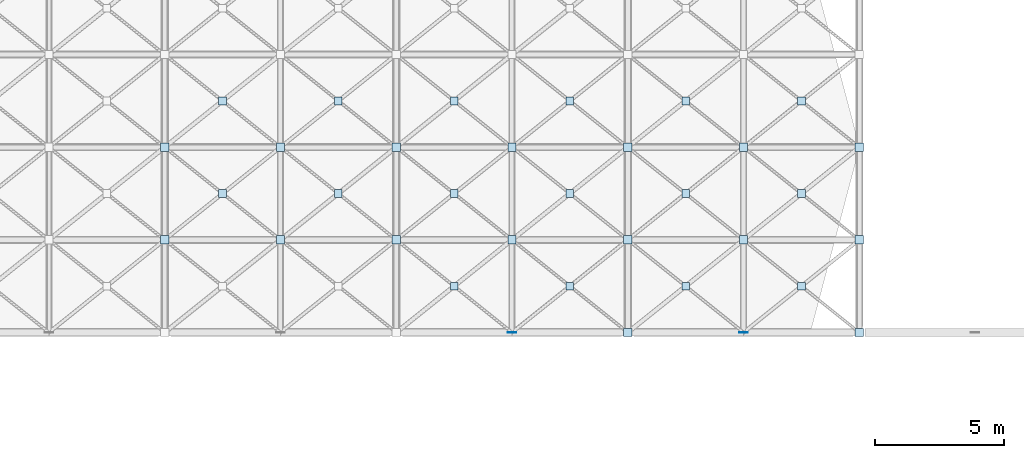
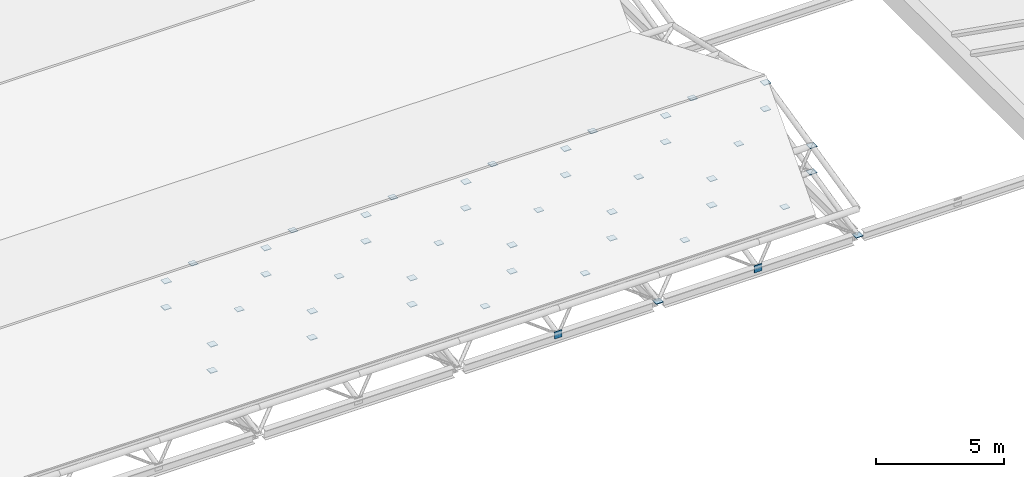
# One storey, part 74 of 110: 48 plates.
"""IFC4 building model written with IfcOpenShell, lengths in metres."""

from ifc_helpers import new_model, si_unit, direction, frame, origin, origin_2d, place, context, subcontext, project, spatial, rectangle, extrude, material, layer, layer_set, type_object, element, save


model = new_model("IFC4")

# Units and contexts
model_context = context("Model", 3, precision=1e-05, world=origin(), true_north=direction((0.0, 1.0)))
body_context = subcontext(model_context, "Body", "Model", "MODEL_VIEW")
ifc_project = project(units=[si_unit("LENGTHUNIT", "METRE"), si_unit("AREAUNIT", "SQUARE_METRE"), si_unit("VOLUMEUNIT", "CUBIC_METRE"), si_unit("PLANEANGLEUNIT", "RADIAN"), si_unit("MASSUNIT", "GRAM", prefix="KILO")], contexts=[model_context])

# Site, building, storey
site_placement = place(None, origin())
site = spatial("IfcSite", under=ifc_project, at=site_placement, CompositionType="ELEMENT")
building_placement = place(site_placement, origin())
building = spatial("IfcBuilding", under=site, at=building_placement, Name="Tamarisk Ironworks Central Station", CompositionType="ELEMENT")
storey_placement = place(building_placement, frame((0.0, 0.0, 17.39990234375)))
storey = spatial("IfcBuildingStorey", under=building, at=storey_placement, Name="L03", CompositionType="ELEMENT", Elevation=17.39990234375)

# Plates
ifc_material_1 = material(Name="Painted structural steel S355J2", Category="steel")
ifc_layer_1 = layer(ifc_material_1, 0.01611328125)
ifc_layer_set_1 = layer_set([ifc_layer_1], Name="Painted structural steel S355J2")
plate_type_1 = type_object("IfcPlateType", Name="PL-EC16", PredefinedType="SHEET", material=ifc_layer_set_1)
for number, where, z_axis, x_axis, name in (
    (1, (31.5, 21.60009765625, -1.89013671875), (0.0, 0.0, 1.0), (1.0, 0.0, 0.0), "Hollow section welded end-cap plate 31"),
    (2, (40.5, 21.60009765625, -1.89013671875), (0.0, 0.0, 1.0), (1.0, 0.0, 0.0), "Hollow section welded end-cap plate 32"),
):
    element("IfcPlate", number, at=place(storey_placement, frame(where, z_axis=z_axis, x_axis=x_axis)), inside=storey, type_object=plate_type_1, Name=name, PredefinedType="SHEET", context=body_context, shape_type="SweptSolid", body=[
        extrude(rectangle(XDim=0.340087890625, YDim=0.02392578125, at=origin_2d()), origin(), (0.0, 0.0, 1.0), 0.340087890625),
    ])
ifc_material_2 = material(Name="Structural steel S355J2H", Category="steel")
ifc_layer_2 = layer(ifc_material_2, 0.02587890625)
ifc_layer_set_2 = layer_set([ifc_layer_2], Name="Structural steel S355J2H")
plate_type_2 = type_object("IfcPlateType", Name="PL-ND26", PredefinedType="SHEET", material=ifc_layer_set_2)
for number, where, z_axis, x_axis, name in (
    (3, (18.0, 25.199951171875, 0.342041015625), (0.0, 0.0, 1.0), (1.0, 0.0, 0.0), "Space-frame collector node plate 0045"),
    (4, (18.0, 25.199951171875, -0.907958984375), (0.0, 0.0, 1.0), (1.0, 0.0, 0.0), "Space-frame collector node plate 0047"),
    (5, (18.0, 28.800048828125, 1.167236328125), (0.0, 0.0, 1.0), (1.0, 0.0, 0.0), "Space-frame collector node plate 0048"),
    (6, (18.0, 28.800048828125, -0.082763671875), (0.0, 0.0, 1.0), (1.0, 0.0, 0.0), "Space-frame collector node plate 0050"),
    (7, (22.5, 25.199951171875, 0.342041015625), (0.0, 0.0, 1.0), (1.0, 0.0, 0.0), "Space-frame collector node plate 0056"),
):
    element("IfcPlate", number, at=place(storey_placement, frame(where, z_axis=z_axis, x_axis=x_axis)), inside=storey, type_object=plate_type_2, Name=name, PredefinedType="SHEET", context=body_context, shape_type="SweptSolid", body=[
        extrude(rectangle(XDim=0.320068359375, YDim=0.320068359375, at=origin_2d()), origin(), (0.0, 0.0, 1.0), 0.02587890625),
    ])
plate_1_placement = place(storey_placement, frame((20.25, 27.0, 0.129638671875), z_axis=(0.0, 0.0, 1.0), x_axis=(1.0, 0.0, 0.0)))
element("IfcPlate", 8, at=plate_1_placement, inside=storey, type_object=plate_type_2, Name="Space-frame X-brace crossing gusset plate 0057", PredefinedType="SHEET", context=body_context, shape_type="SweptSolid", body=[
    extrude(rectangle(XDim=0.300048828125, YDim=0.300048828125, at=origin_2d()), origin(), (0.0, 0.0, 1.0), 0.02587890625),
])
for number, where, z_axis, x_axis, name in (
    (9, (22.5, 25.199951171875, -0.907958984375), (0.0, 0.0, 1.0), (1.0, 0.0, 0.0), "Space-frame collector node plate 0058"),
    (10, (22.5, 28.800048828125, 1.167236328125), (0.0, 0.0, 1.0), (1.0, 0.0, 0.0), "Space-frame collector node plate 0059"),
):
    element("IfcPlate", number, at=place(storey_placement, frame(where, z_axis=z_axis, x_axis=x_axis)), inside=storey, type_object=plate_type_2, Name=name, PredefinedType="SHEET", context=body_context, shape_type="SweptSolid", body=[
        extrude(rectangle(XDim=0.320068359375, YDim=0.320068359375, at=origin_2d()), origin(), (0.0, 0.0, 1.0), 0.02587890625),
    ])
plate_2_placement = place(storey_placement, frame((20.25, 30.60009765625, 0.129638671875), z_axis=(0.0, 0.0, 1.0), x_axis=(1.0, 0.0, 0.0)))
element("IfcPlate", 11, at=plate_2_placement, inside=storey, type_object=plate_type_2, Name="Space-frame X-brace crossing gusset plate 0060", PredefinedType="SHEET", context=body_context, shape_type="SweptSolid", body=[
    extrude(rectangle(XDim=0.300048828125, YDim=0.300048828125, at=origin_2d()), origin(), (0.0, 0.0, 1.0), 0.02587890625),
])
for number, where, z_axis, x_axis, name in (
    (12, (22.5, 28.800048828125, -0.082763671875), (0.0, 0.0, 1.0), (1.0, 0.0, 0.0), "Space-frame collector node plate 0061"),
    (13, (27.0, 25.199951171875, 0.342041015625), (0.0, 0.0, 1.0), (1.0, 0.0, 0.0), "Space-frame collector node plate 0068"),
):
    element("IfcPlate", number, at=place(storey_placement, frame(where, z_axis=z_axis, x_axis=x_axis)), inside=storey, type_object=plate_type_2, Name=name, PredefinedType="SHEET", context=body_context, shape_type="SweptSolid", body=[
        extrude(rectangle(XDim=0.320068359375, YDim=0.320068359375, at=origin_2d()), origin(), (0.0, 0.0, 1.0), 0.02587890625),
    ])
plate_3_placement = place(storey_placement, frame((24.75, 27.0, 0.129638671875), z_axis=(0.0, 0.0, 1.0), x_axis=(1.0, 0.0, 0.0)))
element("IfcPlate", 14, at=plate_3_placement, inside=storey, type_object=plate_type_2, Name="Space-frame X-brace crossing gusset plate 0069", PredefinedType="SHEET", context=body_context, shape_type="SweptSolid", body=[
    extrude(rectangle(XDim=0.300048828125, YDim=0.300048828125, at=origin_2d()), origin(), (0.0, 0.0, 1.0), 0.02587890625),
])
for number, where, z_axis, x_axis, name in (
    (15, (27.0, 25.199951171875, -0.907958984375), (0.0, 0.0, 1.0), (1.0, 0.0, 0.0), "Space-frame collector node plate 0070"),
    (16, (27.0, 28.800048828125, 1.167236328125), (0.0, 0.0, 1.0), (1.0, 0.0, 0.0), "Space-frame collector node plate 0071"),
):
    element("IfcPlate", number, at=place(storey_placement, frame(where, z_axis=z_axis, x_axis=x_axis)), inside=storey, type_object=plate_type_2, Name=name, PredefinedType="SHEET", context=body_context, shape_type="SweptSolid", body=[
        extrude(rectangle(XDim=0.320068359375, YDim=0.320068359375, at=origin_2d()), origin(), (0.0, 0.0, 1.0), 0.02587890625),
    ])
plate_4_placement = place(storey_placement, frame((24.75, 30.60009765625, 0.129638671875), z_axis=(0.0, 0.0, 1.0), x_axis=(1.0, 0.0, 0.0)))
element("IfcPlate", 17, at=plate_4_placement, inside=storey, type_object=plate_type_2, Name="Space-frame X-brace crossing gusset plate 0072", PredefinedType="SHEET", context=body_context, shape_type="SweptSolid", body=[
    extrude(rectangle(XDim=0.300048828125, YDim=0.300048828125, at=origin_2d()), origin(), (0.0, 0.0, 1.0), 0.02587890625),
])
plate_5_placement = place(storey_placement, frame((27.0, 28.800048828125, -0.082763671875), z_axis=(0.0, 0.0, 1.0), x_axis=(1.0, 0.0, 0.0)))
element("IfcPlate", 18, at=plate_5_placement, inside=storey, type_object=plate_type_2, Name="Space-frame collector node plate 0073", PredefinedType="SHEET", context=body_context, shape_type="SweptSolid", body=[
    extrude(rectangle(XDim=0.320068359375, YDim=0.320068359375, at=origin_2d()), origin(), (0.0, 0.0, 1.0), 0.02587890625),
])
plate_6_placement = place(storey_placement, frame((29.25, 23.39990234375, -0.6953125), z_axis=(0.0, 0.0, 1.0), x_axis=(1.0, 0.0, 0.0)))
element("IfcPlate", 19, at=plate_6_placement, inside=storey, type_object=plate_type_2, Name="Space-frame X-brace crossing gusset plate 0078", PredefinedType="SHEET", context=body_context, shape_type="SweptSolid", body=[
    extrude(rectangle(XDim=0.300048828125, YDim=0.300048828125, at=origin_2d()), origin(), (0.0, 0.0, 1.0), 0.02587890625),
])
plate_7_placement = place(storey_placement, frame((31.5, 25.199951171875, 0.342041015625), z_axis=(0.0, 0.0, 1.0), x_axis=(1.0, 0.0, 0.0)))
element("IfcPlate", 20, at=plate_7_placement, inside=storey, type_object=plate_type_2, Name="Space-frame collector node plate 0079", PredefinedType="SHEET", context=body_context, shape_type="SweptSolid", body=[
    extrude(rectangle(XDim=0.320068359375, YDim=0.320068359375, at=origin_2d()), origin(), (0.0, 0.0, 1.0), 0.02587890625),
])
plate_8_placement = place(storey_placement, frame((29.25, 27.0, 0.129638671875), z_axis=(0.0, 0.0, 1.0), x_axis=(1.0, 0.0, 0.0)))
element("IfcPlate", 21, at=plate_8_placement, inside=storey, type_object=plate_type_2, Name="Space-frame X-brace crossing gusset plate 0080", PredefinedType="SHEET", context=body_context, shape_type="SweptSolid", body=[
    extrude(rectangle(XDim=0.300048828125, YDim=0.300048828125, at=origin_2d()), origin(), (0.0, 0.0, 1.0), 0.02587890625),
])
for number, where, z_axis, x_axis, name in (
    (22, (31.5, 25.199951171875, -0.907958984375), (0.0, 0.0, 1.0), (1.0, 0.0, 0.0), "Space-frame collector node plate 0081"),
    (23, (31.5, 28.800048828125, 1.167236328125), (0.0, 0.0, 1.0), (1.0, 0.0, 0.0), "Space-frame collector node plate 0082"),
):
    element("IfcPlate", number, at=place(storey_placement, frame(where, z_axis=z_axis, x_axis=x_axis)), inside=storey, type_object=plate_type_2, Name=name, PredefinedType="SHEET", context=body_context, shape_type="SweptSolid", body=[
        extrude(rectangle(XDim=0.320068359375, YDim=0.320068359375, at=origin_2d()), origin(), (0.0, 0.0, 1.0), 0.02587890625),
    ])
plate_9_placement = place(storey_placement, frame((29.25, 30.60009765625, 0.129638671875), z_axis=(0.0, 0.0, 1.0), x_axis=(1.0, 0.0, 0.0)))
element("IfcPlate", 24, at=plate_9_placement, inside=storey, type_object=plate_type_2, Name="Space-frame X-brace crossing gusset plate 0083", PredefinedType="SHEET", context=body_context, shape_type="SweptSolid", body=[
    extrude(rectangle(XDim=0.300048828125, YDim=0.300048828125, at=origin_2d()), origin(), (0.0, 0.0, 1.0), 0.02587890625),
])
plate_10_placement = place(storey_placement, frame((31.5, 28.800048828125, -0.082763671875), z_axis=(0.0, 0.0, 1.0), x_axis=(1.0, 0.0, 0.0)))
element("IfcPlate", 25, at=plate_10_placement, inside=storey, type_object=plate_type_2, Name="Space-frame collector node plate 0084", PredefinedType="SHEET", context=body_context, shape_type="SweptSolid", body=[
    extrude(rectangle(XDim=0.320068359375, YDim=0.320068359375, at=origin_2d()), origin(), (0.0, 0.0, 1.0), 0.02587890625),
])
plate_11_placement = place(storey_placement, frame((33.75, 23.39990234375, -0.6953125), z_axis=(0.0, 0.0, 1.0), x_axis=(1.0, 0.0, 0.0)))
element("IfcPlate", 26, at=plate_11_placement, inside=storey, type_object=plate_type_2, Name="Space-frame X-brace crossing gusset plate 0089", PredefinedType="SHEET", context=body_context, shape_type="SweptSolid", body=[
    extrude(rectangle(XDim=0.300048828125, YDim=0.300048828125, at=origin_2d()), origin(), (0.0, 0.0, 1.0), 0.02587890625),
])
for number, where, z_axis, x_axis, name in (
    (27, (36.0, 21.60009765625, -1.73291015625), (0.0, 0.0, 1.0), (1.0, 0.0, 0.0), "Space-frame collector node plate 0090"),
    (28, (36.0, 25.199951171875, 0.342041015625), (0.0, 0.0, 1.0), (1.0, 0.0, 0.0), "Space-frame collector node plate 0091"),
):
    element("IfcPlate", number, at=place(storey_placement, frame(where, z_axis=z_axis, x_axis=x_axis)), inside=storey, type_object=plate_type_2, Name=name, PredefinedType="SHEET", context=body_context, shape_type="SweptSolid", body=[
        extrude(rectangle(XDim=0.320068359375, YDim=0.320068359375, at=origin_2d()), origin(), (0.0, 0.0, 1.0), 0.02587890625),
    ])
plate_12_placement = place(storey_placement, frame((33.75, 27.0, 0.129638671875), z_axis=(0.0, 0.0, 1.0), x_axis=(1.0, 0.0, 0.0)))
element("IfcPlate", 29, at=plate_12_placement, inside=storey, type_object=plate_type_2, Name="Space-frame X-brace crossing gusset plate 0092", PredefinedType="SHEET", context=body_context, shape_type="SweptSolid", body=[
    extrude(rectangle(XDim=0.300048828125, YDim=0.300048828125, at=origin_2d()), origin(), (0.0, 0.0, 1.0), 0.02587890625),
])
for number, where, z_axis, x_axis, name in (
    (30, (36.0, 25.199951171875, -0.907958984375), (0.0, 0.0, 1.0), (1.0, 0.0, 0.0), "Space-frame collector node plate 0093"),
    (31, (36.0, 28.800048828125, 1.167236328125), (0.0, 0.0, 1.0), (1.0, 0.0, 0.0), "Space-frame collector node plate 0094"),
):
    element("IfcPlate", number, at=place(storey_placement, frame(where, z_axis=z_axis, x_axis=x_axis)), inside=storey, type_object=plate_type_2, Name=name, PredefinedType="SHEET", context=body_context, shape_type="SweptSolid", body=[
        extrude(rectangle(XDim=0.320068359375, YDim=0.320068359375, at=origin_2d()), origin(), (0.0, 0.0, 1.0), 0.02587890625),
    ])
plate_13_placement = place(storey_placement, frame((33.75, 30.60009765625, 0.129638671875), z_axis=(0.0, 0.0, 1.0), x_axis=(1.0, 0.0, 0.0)))
element("IfcPlate", 32, at=plate_13_placement, inside=storey, type_object=plate_type_2, Name="Space-frame X-brace crossing gusset plate 0095", PredefinedType="SHEET", context=body_context, shape_type="SweptSolid", body=[
    extrude(rectangle(XDim=0.300048828125, YDim=0.300048828125, at=origin_2d()), origin(), (0.0, 0.0, 1.0), 0.02587890625),
])
plate_14_placement = place(storey_placement, frame((36.0, 28.800048828125, -0.082763671875), z_axis=(0.0, 0.0, 1.0), x_axis=(1.0, 0.0, 0.0)))
element("IfcPlate", 33, at=plate_14_placement, inside=storey, type_object=plate_type_2, Name="Space-frame collector node plate 0096", PredefinedType="SHEET", context=body_context, shape_type="SweptSolid", body=[
    extrude(rectangle(XDim=0.320068359375, YDim=0.320068359375, at=origin_2d()), origin(), (0.0, 0.0, 1.0), 0.02587890625),
])
plate_15_placement = place(storey_placement, frame((38.25, 23.39990234375, -0.6953125), z_axis=(0.0, 0.0, 1.0), x_axis=(1.0, 0.0, 0.0)))
element("IfcPlate", 34, at=plate_15_placement, inside=storey, type_object=plate_type_2, Name="Space-frame X-brace crossing gusset plate 0101", PredefinedType="SHEET", context=body_context, shape_type="SweptSolid", body=[
    extrude(rectangle(XDim=0.300048828125, YDim=0.300048828125, at=origin_2d()), origin(), (0.0, 0.0, 1.0), 0.02587890625),
])
plate_16_placement = place(storey_placement, frame((40.5, 25.199951171875, 0.342041015625), z_axis=(0.0, 0.0, 1.0), x_axis=(1.0, 0.0, 0.0)))
element("IfcPlate", 35, at=plate_16_placement, inside=storey, type_object=plate_type_2, Name="Space-frame collector node plate 0102", PredefinedType="SHEET", context=body_context, shape_type="SweptSolid", body=[
    extrude(rectangle(XDim=0.320068359375, YDim=0.320068359375, at=origin_2d()), origin(), (0.0, 0.0, 1.0), 0.02587890625),
])
plate_17_placement = place(storey_placement, frame((38.25, 27.0, 0.129638671875), z_axis=(0.0, 0.0, 1.0), x_axis=(1.0, 0.0, 0.0)))
element("IfcPlate", 36, at=plate_17_placement, inside=storey, type_object=plate_type_2, Name="Space-frame X-brace crossing gusset plate 0103", PredefinedType="SHEET", context=body_context, shape_type="SweptSolid", body=[
    extrude(rectangle(XDim=0.300048828125, YDim=0.300048828125, at=origin_2d()), origin(), (0.0, 0.0, 1.0), 0.02587890625),
])
for number, where, z_axis, x_axis, name in (
    (37, (40.5, 25.199951171875, -0.907958984375), (0.0, 0.0, 1.0), (1.0, 0.0, 0.0), "Space-frame collector node plate 0104"),
    (38, (40.5, 28.800048828125, 1.167236328125), (0.0, 0.0, 1.0), (1.0, 0.0, 0.0), "Space-frame collector node plate 0105"),
):
    element("IfcPlate", number, at=place(storey_placement, frame(where, z_axis=z_axis, x_axis=x_axis)), inside=storey, type_object=plate_type_2, Name=name, PredefinedType="SHEET", context=body_context, shape_type="SweptSolid", body=[
        extrude(rectangle(XDim=0.320068359375, YDim=0.320068359375, at=origin_2d()), origin(), (0.0, 0.0, 1.0), 0.02587890625),
    ])
plate_18_placement = place(storey_placement, frame((38.25, 30.60009765625, 0.129638671875), z_axis=(0.0, 0.0, 1.0), x_axis=(1.0, 0.0, 0.0)))
element("IfcPlate", 39, at=plate_18_placement, inside=storey, type_object=plate_type_2, Name="Space-frame X-brace crossing gusset plate 0106", PredefinedType="SHEET", context=body_context, shape_type="SweptSolid", body=[
    extrude(rectangle(XDim=0.300048828125, YDim=0.300048828125, at=origin_2d()), origin(), (0.0, 0.0, 1.0), 0.02587890625),
])
plate_19_placement = place(storey_placement, frame((40.5, 28.800048828125, -0.082763671875), z_axis=(0.0, 0.0, 1.0), x_axis=(1.0, 0.0, 0.0)))
element("IfcPlate", 40, at=plate_19_placement, inside=storey, type_object=plate_type_2, Name="Space-frame collector node plate 0107", PredefinedType="SHEET", context=body_context, shape_type="SweptSolid", body=[
    extrude(rectangle(XDim=0.320068359375, YDim=0.320068359375, at=origin_2d()), origin(), (0.0, 0.0, 1.0), 0.02587890625),
])
plate_20_placement = place(storey_placement, frame((42.75, 23.39990234375, -0.6953125), z_axis=(0.0, 0.0, 1.0), x_axis=(1.0, 0.0, 0.0)))
element("IfcPlate", 41, at=plate_20_placement, inside=storey, type_object=plate_type_2, Name="Space-frame X-brace crossing gusset plate 0112", PredefinedType="SHEET", context=body_context, shape_type="SweptSolid", body=[
    extrude(rectangle(XDim=0.300048828125, YDim=0.300048828125, at=origin_2d()), origin(), (0.0, 0.0, 1.0), 0.02587890625),
])
for number, where, z_axis, x_axis, name in (
    (42, (45.0, 21.60009765625, -1.73291015625), (0.0, 0.0, 1.0), (1.0, 0.0, 0.0), "Space-frame collector node plate 0113"),
    (43, (45.0, 25.199951171875, 0.342041015625), (0.0, 0.0, 1.0), (1.0, 0.0, 0.0), "Space-frame collector node plate 0114"),
):
    element("IfcPlate", number, at=place(storey_placement, frame(where, z_axis=z_axis, x_axis=x_axis)), inside=storey, type_object=plate_type_2, Name=name, PredefinedType="SHEET", context=body_context, shape_type="SweptSolid", body=[
        extrude(rectangle(XDim=0.320068359375, YDim=0.320068359375, at=origin_2d()), origin(), (0.0, 0.0, 1.0), 0.02587890625),
    ])
plate_21_placement = place(storey_placement, frame((42.75, 27.0, 0.129638671875), z_axis=(0.0, 0.0, 1.0), x_axis=(1.0, 0.0, 0.0)))
element("IfcPlate", 44, at=plate_21_placement, inside=storey, type_object=plate_type_2, Name="Space-frame X-brace crossing gusset plate 0115", PredefinedType="SHEET", context=body_context, shape_type="SweptSolid", body=[
    extrude(rectangle(XDim=0.300048828125, YDim=0.300048828125, at=origin_2d()), origin(), (0.0, 0.0, 1.0), 0.02587890625),
])
for number, where, z_axis, x_axis, name in (
    (45, (45.0, 25.199951171875, -0.907958984375), (0.0, 0.0, 1.0), (1.0, 0.0, 0.0), "Space-frame collector node plate 0116"),
    (46, (45.0, 28.800048828125, 1.167236328125), (0.0, 0.0, 1.0), (1.0, 0.0, 0.0), "Space-frame collector node plate 0117"),
):
    element("IfcPlate", number, at=place(storey_placement, frame(where, z_axis=z_axis, x_axis=x_axis)), inside=storey, type_object=plate_type_2, Name=name, PredefinedType="SHEET", context=body_context, shape_type="SweptSolid", body=[
        extrude(rectangle(XDim=0.320068359375, YDim=0.320068359375, at=origin_2d()), origin(), (0.0, 0.0, 1.0), 0.02587890625),
    ])
plate_22_placement = place(storey_placement, frame((42.75, 30.60009765625, 0.129638671875), z_axis=(0.0, 0.0, 1.0), x_axis=(1.0, 0.0, 0.0)))
element("IfcPlate", 47, at=plate_22_placement, inside=storey, type_object=plate_type_2, Name="Space-frame X-brace crossing gusset plate 0118", PredefinedType="SHEET", context=body_context, shape_type="SweptSolid", body=[
    extrude(rectangle(XDim=0.300048828125, YDim=0.300048828125, at=origin_2d()), origin(), (0.0, 0.0, 1.0), 0.02587890625),
])
plate_23_placement = place(storey_placement, frame((45.0, 28.800048828125, -0.082763671875), z_axis=(0.0, 0.0, 1.0), x_axis=(1.0, 0.0, 0.0)))
element("IfcPlate", 48, at=plate_23_placement, inside=storey, type_object=plate_type_2, Name="Space-frame collector node plate 0119", PredefinedType="SHEET", context=body_context, shape_type="SweptSolid", body=[
    extrude(rectangle(XDim=0.320068359375, YDim=0.320068359375, at=origin_2d()), origin(), (0.0, 0.0, 1.0), 0.02587890625),
])

save(model, "model.ifc")
